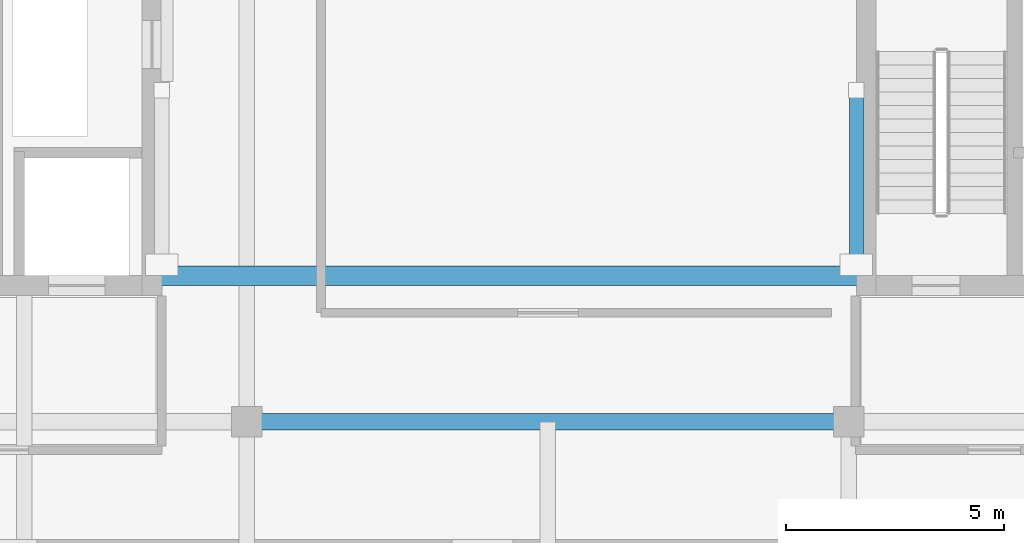
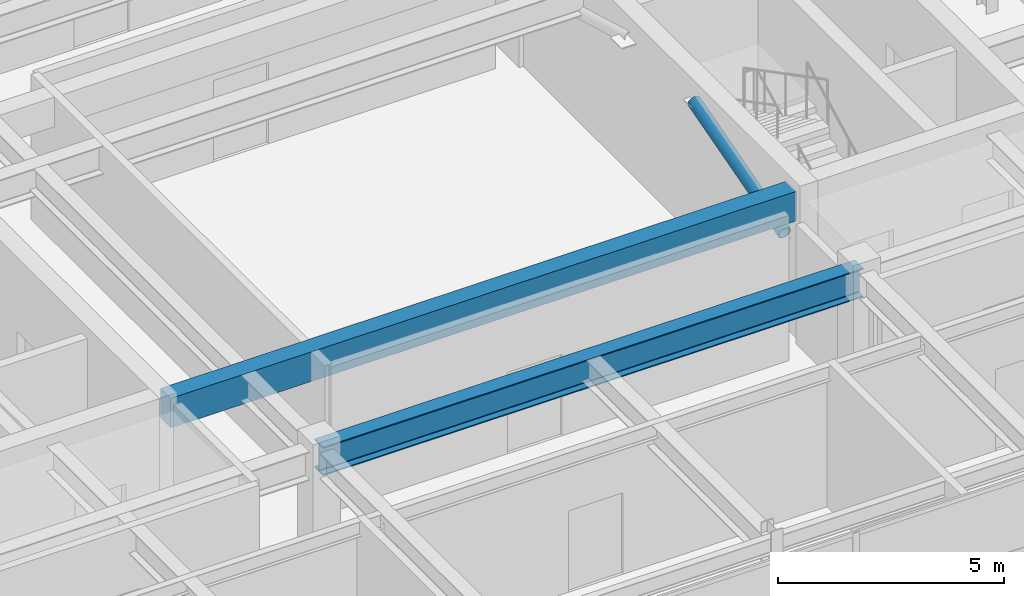
# One storey, part 10 of 32: 2 beams, 1 member.
"""IFC4 building model written with IfcOpenShell, lengths in metres."""

from ifc_helpers import new_model, si_unit, direction, frame, origin, origin_2d, place, context, subcontext, project, spatial, rectangle, hollow_circle, i_section, extrude, source, transform, mapped, material, material_profile, profile_set, type_object, element, save


model = new_model("IFC4")

# Units and contexts
model_context = context("Model", 3, precision=1e-05, world=origin(), true_north=direction((0.0, 1.0)))
body_context = subcontext(model_context, "Body", "Model", "MODEL_VIEW")
ifc_project = project(units=[si_unit("LENGTHUNIT", "METRE"), si_unit("AREAUNIT", "SQUARE_METRE"), si_unit("VOLUMEUNIT", "CUBIC_METRE"), si_unit("PLANEANGLEUNIT", "RADIAN"), si_unit("MASSUNIT", "GRAM", prefix="KILO")], contexts=[model_context])

# Site, building, storey
site_placement = place(None, origin())
site = spatial("IfcSite", under=ifc_project, at=site_placement, CompositionType="ELEMENT")
building_placement = place(site_placement, origin())
building = spatial("IfcBuilding", under=site, at=building_placement, Name="Khoralis Quay Care Tower", CompositionType="ELEMENT")
storey_placement = place(building_placement, frame((0.0, 0.0, 297.89990234375)))
storey = spatial("IfcBuildingStorey", under=building, at=storey_placement, Name="L78", CompositionType="ELEMENT", Elevation=297.89990234375)

# Beams
ifc_material_1 = material(Name="Concrete C50/60", Category="concrete")
ifc_material_profile_1 = material_profile(ifc_material_1, rectangle(XDim=0.449951171875, YDim=0.800048828125, at=origin_2d()), Name="Concrete C50/60")
ifc_profile_set_1 = profile_set([ifc_material_profile_1], Name="Concrete C50/60")
beam_type_1 = type_object("IfcBeamType", Name="CB-RC450X800", PredefinedType="LINTEL", material=ifc_profile_set_1)
shared_shape_1 = source(origin(), body_context, "Body", "SweptSolid", [
    extrude(rectangle(XDim=0.449951171875, YDim=0.800048828125, at=origin_2d()), origin(), (0.0, 0.0, 1.0), 15.97998046875),
])
beam_1_placement = place(storey_placement, frame((15.1201171875, 15.35009765625, 3.52001953125), z_axis=(1.0, 0.0, 0.0), x_axis=(0.0, 1.0, 0.0)))
element("IfcBeam", 1, at=beam_1_placement, inside=storey, type_object=beam_type_1, Name="L78 South Core Coupling Lintel", PredefinedType="LINTEL", context=body_context, shape_type="MappedRepresentation", body=[
    mapped(shared_shape_1, transform((0.0, 0.0, 0.0), scale=1.0)),
])
ifc_material_2 = material(Name="Steel S355", Category="steel")
ifc_material_profile_2 = material_profile(ifc_material_2, i_section(OverallWidth=0.381103515625, OverallDepth=0.77294921875, WebThickness=0.0166015625, FlangeThickness=0.027587890625, FilletRadius=0.02197265625, at=origin_2d()), Name="Steel S355")
ifc_profile_set_2 = profile_set([ifc_material_profile_2], Name="Steel S355")
beam_type_2 = type_object("IfcBeamType", Name="BM-W760X257", PredefinedType="BEAM", material=ifc_profile_set_2)
shared_shape_2 = source(origin(), body_context, "Body", "SweptSolid", [
    extrude(i_section(OverallWidth=0.381103515625, OverallDepth=0.77294921875, WebThickness=0.0166015625, FlangeThickness=0.027587890625, FilletRadius=0.02197265625, at=origin_2d()), origin(), (0.0, 0.0, 1.0), 13.7998046875),
])
beam_2_placement = place(storey_placement, frame((17.10009765625, 12.0, 3.53369140625), z_axis=(1.0, 0.0, 0.0), x_axis=(0.0, 1.0, 0.0)))
element("IfcBeam", 2, at=beam_2_placement, inside=storey, type_object=beam_type_2, Name="BM-TGCC-L78-120", PredefinedType="BEAM", context=body_context, shape_type="MappedRepresentation", body=[
    mapped(shared_shape_2, transform((0.0, 0.0, 0.0), scale=1.0)),
])

# Member
ifc_material_profile_3 = material_profile(ifc_material_2, hollow_circle(Radius=0.161865234375, WallThickness=0.01611328125, at=origin_2d()), Name="Steel S355")
ifc_profile_set_3 = profile_set([ifc_material_profile_3], Name="Steel S355")
member_type = type_object("IfcMemberType", Name="ST-CHS323X16", PredefinedType="STRUT", material=ifc_profile_set_3)
shared_shape_3 = source(origin(), body_context, "Body", "SweptSolid", [
    extrude(hollow_circle(Radius=0.161865234375, WallThickness=0.01611328125, at=origin_2d()), origin(), (0.0, 0.0, 1.0), 4.156494140625),
])
member_placement = place(storey_placement, frame((31.072021484375, 15.60009765625, 2.52001953125), z_axis=(0.0, 0.962328782221, 0.271888423639), x_axis=(-1.0, 0.0, 0.0)))
element("IfcMember", 3, at=member_placement, inside=storey, type_object=member_type, Name="L78 Lantern Diagrid Strut 3", PredefinedType="STRUT", context=body_context, shape_type="MappedRepresentation", body=[
    mapped(shared_shape_3, transform((0.0, 0.0, 0.0), scale=1.0)),
])

save(model, "model.ifc")
